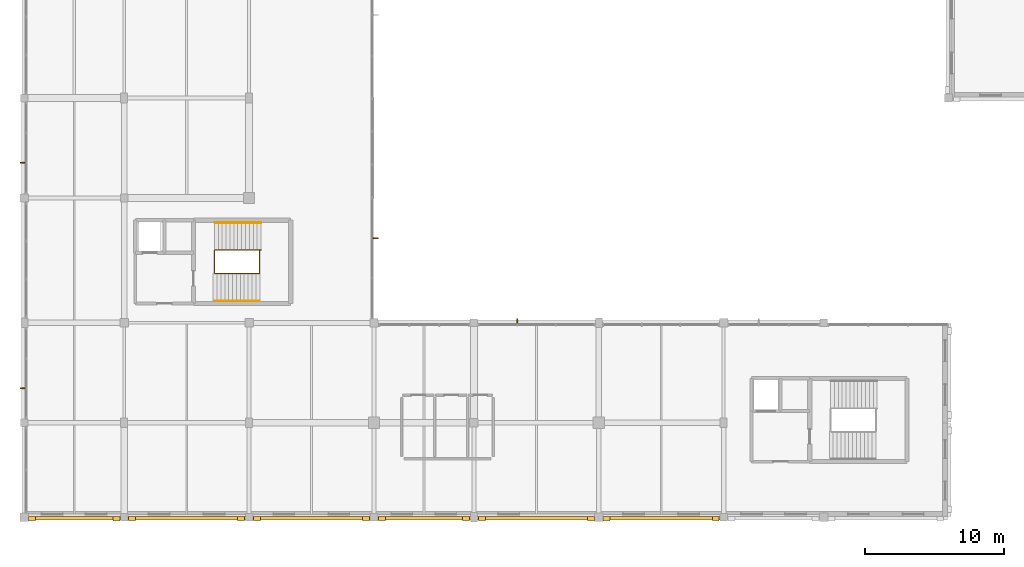
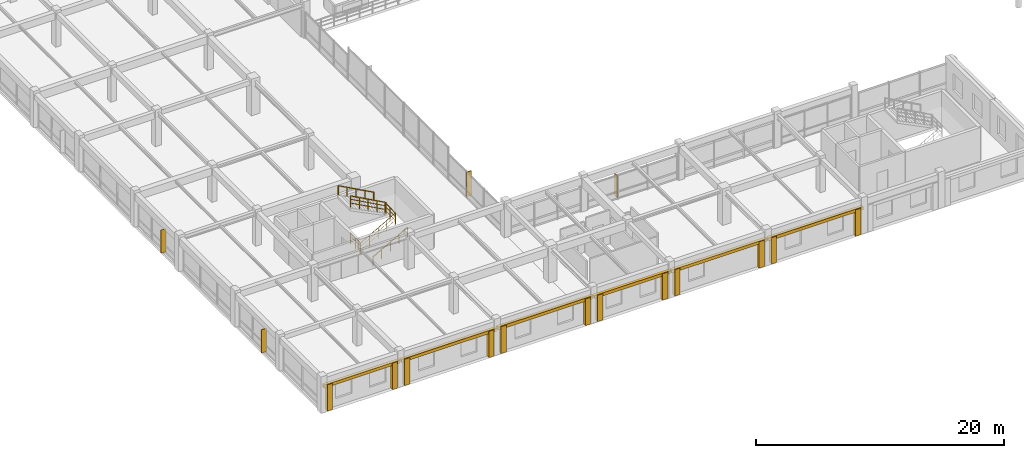
# One storey, part 60 of 74: 18 coverings, 6 railings, 4 shading devices.
"""IFC4 building model written with IfcOpenShell, lengths in metres."""

from ifc_helpers import new_model, si_unit, direction, frame, frame_2d, origin, origin_2d, place, context, subcontext, project, spatial, rectangle, circle, extrude, material, layer, layer_set, type_object, element, save


model = new_model("IFC4")

# Units and contexts
model_context = context("Model", 3, precision=1e-05, world=origin(), true_north=direction((0.0, 1.0)))
body_context = subcontext(model_context, "Body", "Model", "MODEL_VIEW")
ifc_project = project(units=[si_unit("LENGTHUNIT", "METRE"), si_unit("AREAUNIT", "SQUARE_METRE"), si_unit("VOLUMEUNIT", "CUBIC_METRE"), si_unit("PLANEANGLEUNIT", "RADIAN"), si_unit("MASSUNIT", "GRAM", prefix="KILO")], contexts=[model_context])

# Site, building, storey
site_placement = place(None, origin())
site = spatial("IfcSite", under=ifc_project, at=site_placement, CompositionType="ELEMENT")
building_placement = place(site_placement, origin())
building = spatial("IfcBuilding", under=site, at=building_placement, Name="Clarverna Civic Hall", CompositionType="ELEMENT")
storey_placement = place(building_placement, frame((0.0, 0.0, 9.60009765625)))
storey = spatial("IfcBuildingStorey", under=building, at=storey_placement, Name="L02", CompositionType="ELEMENT", Elevation=9.60009765625)

# Coverings
ifc_material_1 = material(Name="Montjuic Buff Limestone Ashlar Cladding", Category="masonry")
ifc_layer_1 = layer(ifc_material_1, 0.070068359375)
ifc_layer_set_1 = layer_set([ifc_layer_1], Name="Montjuic Buff Limestone Ashlar Cladding")
covering_type = type_object("IfcCoveringType", Name="CV-CL2", PredefinedType="CLADDING", material=ifc_layer_set_1)
covering_1_placement = place(storey_placement, frame((50.340087890625, -0.080078125, 2.31982421875), z_axis=(0.0, 0.0, 1.0), x_axis=(-1.0, 0.0, 0.0)))
element("IfcCovering", 1, at=covering_1_placement, inside=storey, type_object=covering_type, Name="CV-CL2-512", PredefinedType="CLADDING", context=body_context, shape_type="SweptSolid", body=[
    extrude(rectangle(XDim=8.880126953125, YDim=0.280029296875, at=frame_2d((4.43994140625, 0.0))), origin(), (0.0, 0.0, 1.0), 0.300048828125),
])
for number, where, z_axis, x_axis, name in (
    (2, (50.080078125, -0.110107421875, 0.0), (0.0, 0.0, 1.0), (-1.0, 0.0, 0.0), "CV-CL2-513"),
    (3, (42.219970703125, -0.110107421875, 0.0), (0.0, 0.0, 1.0), (-1.0, 0.0, 0.0), "CV-CL2-514"),
):
    element("IfcCovering", number, at=place(storey_placement, frame(where, z_axis=z_axis, x_axis=x_axis)), inside=storey, type_object=covering_type, Name=name, PredefinedType="CLADDING", context=body_context, shape_type="SweptSolid", body=[
        extrude(rectangle(XDim=0.5, YDim=0.340087890625, at=frame_2d((0.25, 0.0))), origin(), (0.0, 0.0, 1.0), 2.599853515625),
    ])
covering_2_placement = place(storey_placement, frame((41.340087890625, -0.080078125, 2.31982421875), z_axis=(0.0, 0.0, 1.0), x_axis=(-1.0, 0.0, 0.0)))
element("IfcCovering", 4, at=covering_2_placement, inside=storey, type_object=covering_type, Name="CV-CL2-515", PredefinedType="CLADDING", context=body_context, shape_type="SweptSolid", body=[
    extrude(rectangle(XDim=8.880126953125, YDim=0.280029296875, at=frame_2d((4.43994140625, 0.0))), origin(), (0.0, 0.0, 1.0), 0.300048828125),
])
for number, where, z_axis, x_axis, name in (
    (5, (41.080078125, -0.110107421875, 0.0), (0.0, 0.0, 1.0), (-1.0, 0.0, 0.0), "CV-CL2-516"),
    (6, (33.219970703125, -0.110107421875, 0.0), (0.0, 0.0, 1.0), (-1.0, 0.0, 0.0), "CV-CL2-517"),
):
    element("IfcCovering", number, at=place(storey_placement, frame(where, z_axis=z_axis, x_axis=x_axis)), inside=storey, type_object=covering_type, Name=name, PredefinedType="CLADDING", context=body_context, shape_type="SweptSolid", body=[
        extrude(rectangle(XDim=0.5, YDim=0.340087890625, at=frame_2d((0.25, 0.0))), origin(), (0.0, 0.0, 1.0), 2.599853515625),
    ])
covering_3_placement = place(storey_placement, frame((32.340087890625, -0.080078125, 2.31982421875), z_axis=(0.0, 0.0, 1.0), x_axis=(-1.0, 0.0, 0.0)))
element("IfcCovering", 7, at=covering_3_placement, inside=storey, type_object=covering_type, Name="CV-CL2-518", PredefinedType="CLADDING", context=body_context, shape_type="SweptSolid", body=[
    extrude(rectangle(XDim=7.080078125, YDim=0.280029296875, at=frame_2d((3.5400390625, 0.0))), origin(), (0.0, 0.0, 1.0), 0.300048828125),
])
for number, where, z_axis, x_axis, name in (
    (8, (32.080078125, -0.110107421875, 0.0), (0.0, 0.0, 1.0), (-1.0, 0.0, 0.0), "CV-CL2-519"),
    (9, (26.02001953125, -0.110107421875, 0.0), (0.0, 0.0, 1.0), (-1.0, 0.0, 0.0), "CV-CL2-520"),
):
    element("IfcCovering", number, at=place(storey_placement, frame(where, z_axis=z_axis, x_axis=x_axis)), inside=storey, type_object=covering_type, Name=name, PredefinedType="CLADDING", context=body_context, shape_type="SweptSolid", body=[
        extrude(rectangle(XDim=0.5, YDim=0.340087890625, at=frame_2d((0.25, 0.0))), origin(), (0.0, 0.0, 1.0), 2.599853515625),
    ])
covering_4_placement = place(storey_placement, frame((25.139892578125, -0.080078125, 2.35986328125), z_axis=(0.0, 0.0, 1.0), x_axis=(-1.0, 0.0, 0.0)))
element("IfcCovering", 10, at=covering_4_placement, inside=storey, type_object=covering_type, Name="CV-CL2-521", PredefinedType="CLADDING", context=body_context, shape_type="SweptSolid", body=[
    extrude(rectangle(XDim=8.8798828125, YDim=0.280029296875, at=frame_2d((4.43994140625, 0.0))), origin(), (0.0, 0.0, 1.0), 0.300048828125),
])
for number, where, z_axis, x_axis, name in (
    (11, (24.8798828125, -0.110107421875, 0.0), (0.0, 0.0, 1.0), (-1.0, 0.0, 0.0), "CV-CL2-522"),
    (12, (17.02001953125, -0.110107421875, 0.0), (0.0, 0.0, 1.0), (-1.0, 0.0, 0.0), "CV-CL2-523"),
):
    element("IfcCovering", number, at=place(storey_placement, frame(where, z_axis=z_axis, x_axis=x_axis)), inside=storey, type_object=covering_type, Name=name, PredefinedType="CLADDING", context=body_context, shape_type="SweptSolid", body=[
        extrude(rectangle(XDim=0.5, YDim=0.340087890625, at=frame_2d((0.25, 0.0))), origin(), (0.0, 0.0, 1.0), 2.639892578125),
    ])
covering_5_placement = place(storey_placement, frame((16.139892578125, -0.080078125, 2.31982421875), z_axis=(0.0, 0.0, 1.0), x_axis=(-1.0, 0.0, 0.0)))
element("IfcCovering", 13, at=covering_5_placement, inside=storey, type_object=covering_type, Name="CV-CL2-524", PredefinedType="CLADDING", context=body_context, shape_type="SweptSolid", body=[
    extrude(rectangle(XDim=8.8798828125, YDim=0.280029296875, at=frame_2d((4.43994140625, 0.0))), origin(), (0.0, 0.0, 1.0), 0.300048828125),
])
for number, where, z_axis, x_axis, name in (
    (14, (15.8798828125, -0.110107421875, 0.0), (0.0, 0.0, 1.0), (-1.0, 0.0, 0.0), "CV-CL2-525"),
    (15, (8.02001953125, -0.110107421875, 0.0), (0.0, 0.0, 1.0), (-1.0, 0.0, 0.0), "CV-CL2-526"),
):
    element("IfcCovering", number, at=place(storey_placement, frame(where, z_axis=z_axis, x_axis=x_axis)), inside=storey, type_object=covering_type, Name=name, PredefinedType="CLADDING", context=body_context, shape_type="SweptSolid", body=[
        extrude(rectangle(XDim=0.5, YDim=0.340087890625, at=frame_2d((0.25, 0.0))), origin(), (0.0, 0.0, 1.0), 2.599853515625),
    ])
covering_6_placement = place(storey_placement, frame((7.139892578125, -0.080078125, 2.31982421875), z_axis=(0.0, 0.0, 1.0), x_axis=(-1.0, 0.0, 0.0)))
element("IfcCovering", 16, at=covering_6_placement, inside=storey, type_object=covering_type, Name="CV-CL2-527", PredefinedType="CLADDING", context=body_context, shape_type="SweptSolid", body=[
    extrude(rectangle(XDim=7.079833984375, YDim=0.280029296875, at=frame_2d((3.5400390625, 0.0))), origin(), (0.0, 0.0, 1.0), 0.300048828125),
])
for number, where, z_axis, x_axis, name in (
    (17, (6.8798828125, -0.110107421875, 0.0), (0.0, 0.0, 1.0), (-1.0, 0.0, 0.0), "CV-CL2-528"),
    (18, (0.820068359375, -0.110107421875, 0.0), (0.0, 0.0, 1.0), (-1.0, 0.0, 0.0), "CV-CL2-529"),
):
    element("IfcCovering", number, at=place(storey_placement, frame(where, z_axis=z_axis, x_axis=x_axis)), inside=storey, type_object=covering_type, Name=name, PredefinedType="CLADDING", context=body_context, shape_type="SweptSolid", body=[
        extrude(rectangle(XDim=0.5, YDim=0.340087890625, at=frame_2d((0.25, 0.0))), origin(), (0.0, 0.0, 1.0), 2.599853515625),
    ])

# Railings
ifc_material_2 = material(Name="Anodised Bronze Architectural Balustrade")
railing_type_1 = type_object("IfcRailingType", Name="GR-02", PredefinedType="BALUSTRADE", material=ifc_material_2)
railing_1_placement = place(storey_placement, frame((13.75, 17.56005859375, 0.0)))
element("IfcRailing", 19, at=railing_1_placement, inside=storey, type_object=railing_type_1, Name="GR-02-147", PredefinedType="BALUSTRADE", context=body_context, shape_type="SweptSolid", body=[
    extrude(circle(Radius=0.02392578125, at=origin_2d()), frame((0.0, 0.0, 1.09619140625), z_axis=(0.87193006163, 0.0, 0.489630439849), x_axis=(0.0, 1.0, 0.0)), (0.0, 0.0, 1.0), 3.67578125),
    extrude(circle(Radius=0.011962890625, at=origin_2d()), frame((0.0, 0.0, 0.39208984375), z_axis=(0.87193006163, 0.0, 0.489630439849), x_axis=(0.0, 1.0, 0.0)), (0.0, 0.0, 1.0), 3.67578125),
    extrude(circle(Radius=0.011962890625, at=origin_2d()), frame((0.0, 0.0, 0.76171875), z_axis=(0.87193006163, 0.0, 0.489630439849), x_axis=(0.0, 1.0, 0.0)), (0.0, 0.0, 1.0), 3.67578125),
    extrude(circle(Radius=0.02099609375, at=origin_2d()), origin(), (0.0, 0.0, 1.0), 1.072021484375),
    extrude(circle(Radius=0.02099609375, at=origin_2d()), frame((0.80126953125, 0.0, 0.449951171875)), (0.0, 0.0, 1.0), 1.072021484375),
    extrude(circle(Radius=0.02099609375, at=origin_2d()), frame((1.6025390625, 0.0, 0.89990234375)), (0.0, 0.0, 1.0), 1.072021484375),
    extrude(circle(Radius=0.02099609375, at=origin_2d()), frame((2.40380859375, 0.0, 1.349853515625)), (0.0, 0.0, 1.0), 1.072021484375),
    extrude(circle(Radius=0.02099609375, at=origin_2d()), frame((3.205078125, 0.0, 1.7998046875)), (0.0, 0.0, 1.0), 1.072021484375),
])
railing_2_placement = place(storey_placement, frame((16.955078125, 17.56005859375, 1.7998046875)))
element("IfcRailing", 20, at=railing_2_placement, inside=storey, type_object=railing_type_1, Name="GR-02-148", PredefinedType="BALUSTRADE", context=body_context, shape_type="SweptSolid", body=[
    extrude(circle(Radius=0.02392578125, at=origin_2d()), frame((0.0, 0.0, 1.09619140625), z_axis=(0.0, 1.0, 0.0), x_axis=(-1.0, 0.0, 0.0)), (0.0, 0.0, 1.0), 1.679931640625),
    extrude(circle(Radius=0.011962890625, at=origin_2d()), frame((0.0, 0.0, 0.39208984375), z_axis=(0.0, 1.0, 0.0), x_axis=(-1.0, 0.0, 0.0)), (0.0, 0.0, 1.0), 1.679931640625),
    extrude(circle(Radius=0.011962890625, at=origin_2d()), frame((0.0, 0.0, 0.76171875), z_axis=(0.0, 1.0, 0.0), x_axis=(-1.0, 0.0, 0.0)), (0.0, 0.0, 1.0), 1.679931640625),
    extrude(circle(Radius=0.02099609375, at=origin_2d()), origin(), (0.0, 0.0, 1.0), 1.072021484375),
    extrude(circle(Radius=0.02099609375, at=origin_2d()), frame((0.0, 0.83984375, 0.0)), (0.0, 0.0, 1.0), 1.072021484375),
    extrude(circle(Radius=0.02099609375, at=origin_2d()), frame((0.0, 1.679931640625, 0.0)), (0.0, 0.0, 1.0), 1.072021484375),
])
railing_3_placement = place(storey_placement, frame((17.044921875, 19.239990234375, 1.7998046875)))
element("IfcRailing", 21, at=railing_3_placement, inside=storey, type_object=railing_type_1, Name="GR-02-149", PredefinedType="BALUSTRADE", context=body_context, shape_type="SweptSolid", body=[
    extrude(circle(Radius=0.02392578125, at=origin_2d()), frame((0.0, 0.0, 1.09619140625), z_axis=(-0.877579782342, 0.0, 0.479430626498), x_axis=(0.0, -1.0, 0.0)), (0.0, 0.0, 1.0), 3.754638671875),
    extrude(circle(Radius=0.011962890625, at=origin_2d()), frame((0.0, 0.0, 0.39208984375), z_axis=(-0.877579782342, 0.0, 0.479430626498), x_axis=(0.0, -1.0, 0.0)), (0.0, 0.0, 1.0), 3.754638671875),
    extrude(circle(Radius=0.011962890625, at=origin_2d()), frame((0.0, 0.0, 0.76171875), z_axis=(-0.877579782342, 0.0, 0.479430626498), x_axis=(0.0, -1.0, 0.0)), (0.0, 0.0, 1.0), 3.754638671875),
    extrude(circle(Radius=0.02099609375, at=origin_2d()), origin(), (0.0, 0.0, 1.0), 1.072021484375),
    extrude(circle(Radius=0.02099609375, at=origin_2d()), frame((-0.82373046875, 0.0, 0.449951171875)), (0.0, 0.0, 1.0), 1.072021484375),
    extrude(circle(Radius=0.02099609375, at=origin_2d()), frame((-1.6474609375, 0.0, 0.89990234375)), (0.0, 0.0, 1.0), 1.072021484375),
    extrude(circle(Radius=0.02099609375, at=origin_2d()), frame((-2.47119140625, 0.0, 1.35009765625)), (0.0, 0.0, 1.0), 1.072021484375),
    extrude(circle(Radius=0.02099609375, at=origin_2d()), frame((-3.294921875, 0.0, 1.800048828125)), (0.0, 0.0, 1.0), 1.072021484375),
])
railing_4_placement = place(storey_placement, frame((13.7099609375, 17.60009765625, 0.0)))
element("IfcRailing", 22, at=railing_4_placement, inside=storey, type_object=railing_type_1, Name="GR-02-150", PredefinedType="BALUSTRADE", context=body_context, shape_type="SweptSolid", body=[
    extrude(circle(Radius=0.02392578125, at=origin_2d()), frame((0.0, 0.0, 1.09619140625), z_axis=(0.0, 1.0, 0.0), x_axis=(-1.0, 0.0, 0.0)), (0.0, 0.0, 1.0), 1.599853515625),
    extrude(circle(Radius=0.011962890625, at=origin_2d()), frame((0.0, 0.0, 0.39208984375), z_axis=(0.0, 1.0, 0.0), x_axis=(-1.0, 0.0, 0.0)), (0.0, 0.0, 1.0), 1.599853515625),
    extrude(circle(Radius=0.011962890625, at=origin_2d()), frame((0.0, 0.0, 0.76171875), z_axis=(0.0, 1.0, 0.0), x_axis=(-1.0, 0.0, 0.0)), (0.0, 0.0, 1.0), 1.599853515625),
    extrude(circle(Radius=0.02099609375, at=origin_2d()), origin(), (0.0, 0.0, 1.0), 1.072021484375),
    extrude(circle(Radius=0.02099609375, at=origin_2d()), frame((0.0, 0.7998046875, 0.0)), (0.0, 0.0, 1.0), 1.072021484375),
    extrude(circle(Radius=0.02099609375, at=origin_2d()), frame((0.0, 1.599853515625, 0.0)), (0.0, 0.0, 1.0), 1.072021484375),
])
ifc_material_3 = material(Name="Anodised Bronze Continuous Handrail")
railing_type_2 = type_object("IfcRailingType", Name="HR-01", PredefinedType="HANDRAIL", material=ifc_material_3)
railing_5_placement = place(storey_placement, frame((13.75, 15.580078125, 0.0)))
element("IfcRailing", 23, at=railing_5_placement, inside=storey, type_object=railing_type_2, Name="HR-01-073", PredefinedType="HANDRAIL", context=body_context, shape_type="SweptSolid", body=[
    extrude(circle(Radius=0.02392578125, at=origin_2d()), frame((0.0, 0.0, 0.89599609375), z_axis=(0.870937506535, 0.0, 0.491393792911), x_axis=(0.0, 1.0, 0.0)), (0.0, 0.0, 1.0), 3.66259765625),
    extrude(circle(Radius=0.02099609375, at=origin_2d()), origin(), (0.0, 0.0, 1.0), 0.871826171875),
    extrude(circle(Radius=0.02099609375, at=origin_2d()), frame((0.79736328125, 0.0, 0.449951171875)), (0.0, 0.0, 1.0), 0.871826171875),
    extrude(circle(Radius=0.02099609375, at=origin_2d()), frame((1.594970703125, 0.0, 0.89990234375)), (0.0, 0.0, 1.0), 0.871826171875),
    extrude(circle(Radius=0.02099609375, at=origin_2d()), frame((2.392578125, 0.0, 1.349853515625)), (0.0, 0.0, 1.0), 0.871826171875),
    extrude(circle(Radius=0.02099609375, at=origin_2d()), frame((3.18994140625, 0.0, 1.7998046875)), (0.0, 0.0, 1.0), 0.871826171875),
])
railing_6_placement = place(storey_placement, frame((17.06005859375, 21.219970703125, 1.7998046875)))
element("IfcRailing", 24, at=railing_6_placement, inside=storey, type_object=railing_type_2, Name="HR-01-074", PredefinedType="HANDRAIL", context=body_context, shape_type="SweptSolid", body=[
    extrude(circle(Radius=0.02392578125, at=origin_2d()), frame((0.0, 0.0, 0.89599609375), z_axis=(-0.878501555178, 0.0, 0.477739487116), x_axis=(0.0, -1.0, 0.0)), (0.0, 0.0, 1.0), 3.767822265625),
    extrude(circle(Radius=0.02099609375, at=origin_2d()), origin(), (0.0, 0.0, 1.0), 0.871826171875),
    extrude(circle(Radius=0.02099609375, at=origin_2d()), frame((-0.82763671875, 0.0, 0.449951171875)), (0.0, 0.0, 1.0), 0.871826171875),
    extrude(circle(Radius=0.02099609375, at=origin_2d()), frame((-1.655029296875, 0.0, 0.89990234375)), (0.0, 0.0, 1.0), 0.871826171875),
    extrude(circle(Radius=0.02099609375, at=origin_2d()), frame((-2.482421875, 0.0, 1.35009765625)), (0.0, 0.0, 1.0), 0.871826171875),
    extrude(circle(Radius=0.02099609375, at=origin_2d()), frame((-3.31005859375, 0.0, 1.800048828125)), (0.0, 0.0, 1.0), 0.871826171875),
])

# Shading devices
ifc_material_4 = material(Name="Anodised Bronze Architectural Solar Fin", Category="aluminium")
ifc_layer_2 = layer(ifc_material_4, 0.054931640625)
ifc_layer_set_2 = layer_set([ifc_layer_2], Name="Anodised Bronze Architectural Solar Fin")
shading_device_type = type_object("IfcShadingDeviceType", Name="SD-FN1", PredefinedType="USERDEFINED", material=ifc_layer_set_2)
shading_device_1_placement = place(storey_placement, frame((0.169921875, 9.291015625, 0.14990234375), z_axis=(0.0, 0.0, 1.0), x_axis=(-1.0, 0.0, 0.0)))
element("IfcShadingDevice", 25, at=shading_device_1_placement, inside=storey, type_object=shading_device_type, Name="SD-FN1-008", ObjectType="FIN", PredefinedType="USERDEFINED", context=body_context, shape_type="SweptSolid", body=[
    extrude(rectangle(XDim=0.47998046875, YDim=0.054931640625, at=frame_2d((0.239990234375, 0.0))), origin(), (0.0, 0.0, 1.0), 2.300048828125),
])
shading_device_2_placement = place(storey_placement, frame((0.169921875, 25.53271484375, 0.14990234375), z_axis=(0.0, 0.0, 1.0), x_axis=(-1.0, 0.0, 0.0)))
element("IfcShadingDevice", 26, at=shading_device_2_placement, inside=storey, type_object=shading_device_type, Name="SD-FN1-009", ObjectType="FIN", PredefinedType="USERDEFINED", context=body_context, shape_type="SweptSolid", body=[
    extrude(rectangle(XDim=0.47998046875, YDim=0.054931640625, at=frame_2d((0.239990234375, 0.0))), origin(), (0.0, 0.0, 1.0), 2.27001953125),
])
shading_device_3_placement = place(storey_placement, frame((25.030029296875, 20.102294921875, 0.14990234375), z_axis=(0.0, 0.0, 1.0), x_axis=(1.0, 0.0, 0.0)))
element("IfcShadingDevice", 27, at=shading_device_3_placement, inside=storey, type_object=shading_device_type, Name="SD-FN1-028", ObjectType="FIN", PredefinedType="USERDEFINED", context=body_context, shape_type="SweptSolid", body=[
    extrude(rectangle(XDim=0.47998046875, YDim=0.054931640625, at=frame_2d((0.239990234375, 0.0))), origin(), (0.0, 0.0, 1.0), 2.419921875),
])
shading_device_4_placement = place(storey_placement, frame((35.5244140625, 13.830078125, 0.14990234375), z_axis=(0.0, 0.0, 1.0), x_axis=(0.0, 1.0, 0.0)))
element("IfcShadingDevice", 28, at=shading_device_4_placement, inside=storey, type_object=shading_device_type, Name="SD-FN1-029", ObjectType="FIN", PredefinedType="USERDEFINED", context=body_context, shape_type="SweptSolid", body=[
    extrude(rectangle(XDim=0.47998046875, YDim=0.054931640625, at=frame_2d((0.239990234375, 0.0))), origin(), (0.0, 0.0, 1.0), 2.169921875),
])

save(model, "model.ifc")
